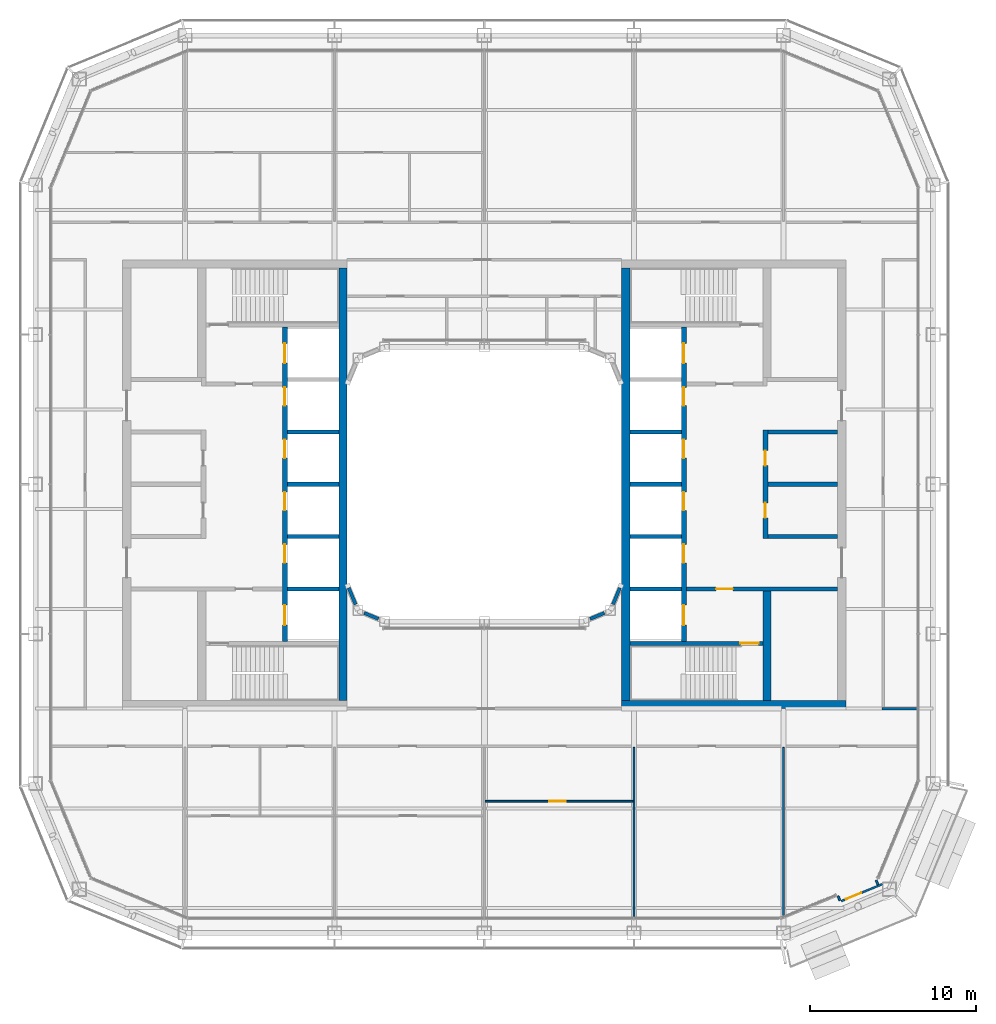
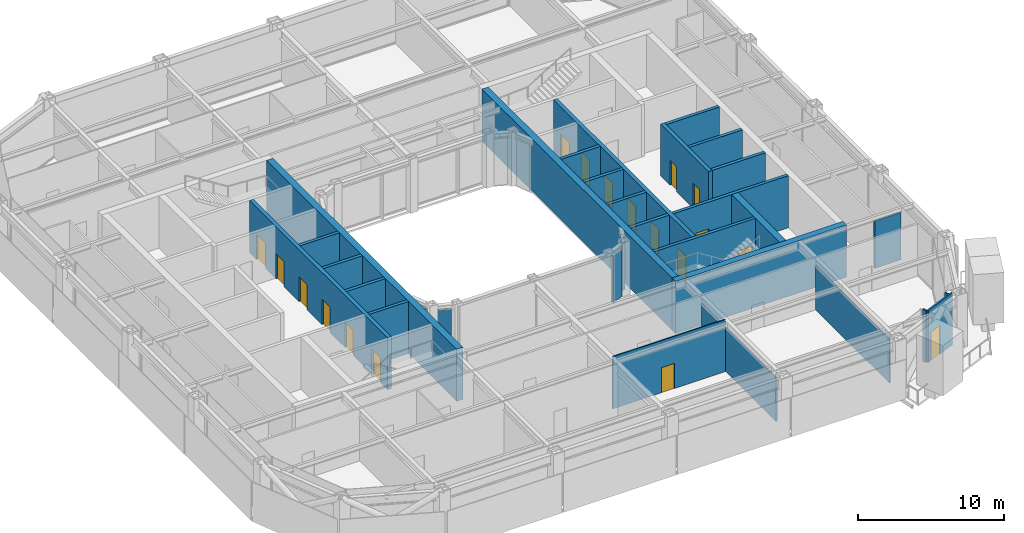
# One storey, part 13 of 22: 31 walls, 18 doors, 18 openings.
"""IFC4 building model written with IfcOpenShell, lengths in metres."""

from ifc_helpers import new_model, si_unit, direction, frame, frame_2d, origin, place, context, subcontext, project, spatial, rectangle, extrude, material, layer, layer_set, type_object, element, fill, save


model = new_model("IFC4")

# Units and contexts
model_context = context("Model", 3, precision=1e-05, world=origin(), true_north=direction((0.0, 1.0)))
body_context = subcontext(model_context, "Body", "Model", "MODEL_VIEW")
ifc_project = project(units=[si_unit("LENGTHUNIT", "METRE"), si_unit("AREAUNIT", "SQUARE_METRE"), si_unit("VOLUMEUNIT", "CUBIC_METRE"), si_unit("PLANEANGLEUNIT", "RADIAN"), si_unit("MASSUNIT", "GRAM", prefix="KILO")], contexts=[model_context])

# Site, building, storey
site_placement = place(None, origin())
site = spatial("IfcSite", under=ifc_project, at=site_placement, CompositionType="ELEMENT")
building_placement = place(site_placement, origin())
building = spatial("IfcBuilding", under=site, at=building_placement, Name="Siwar Civic Tower", CompositionType="ELEMENT")
storey_placement = place(building_placement, frame((0.0, 0.0, 219.699951171875)))
storey = spatial("IfcBuildingStorey", under=building, at=storey_placement, Name="L47", CompositionType="ELEMENT", Elevation=219.699951171875)

# Walls
ifc_material_1 = material(Name="Concrete C60/75", Category="concrete")
ifc_layer_1 = layer(ifc_material_1, 0.25)
ifc_layer_set_1 = layer_set([ifc_layer_1], Name="Concrete C60/75")
wall_type_1 = type_object("IfcWallType", Name="CORE-WALL-RC250", PredefinedType="SHEAR", material=ifc_layer_set_1)
for number, where, z_axis, x_axis, name in (
    (1, (-8.75, 0.0, 0.0), (0.0, 0.0, 1.0), (-1.0, 0.0, 0.0), "Core wall W"),
    (2, (-8.75, 3.14990234375, 0.0), (0.0, 0.0, 1.0), (-1.0, 0.0, 0.0), "Core wall W"),
    (3, (-8.75, -3.14990234375, 0.0), (0.0, 0.0, 1.0), (-1.0, 0.0, 0.0), "Core wall W"),
    (4, (-8.75, -6.300048828125, 0.0), (0.0, 0.0, 1.0), (-1.0, 0.0, 0.0), "Core wall W"),
):
    element("IfcWall", number, at=place(storey_placement, frame(where, z_axis=z_axis, x_axis=x_axis)), inside=storey, type_object=wall_type_1, Name=name, PredefinedType="SHEAR", context=body_context, shape_type="SweptSolid", body=[
        extrude(rectangle(XDim=3.10009765625, YDim=0.25, at=frame_2d((1.550048828125, 0.0))), origin(), (0.0, 0.0, 1.0), 4.35009765625),
    ])

# Wall, opening, door
wall_1_placement = place(storey_placement, frame((12.14990234375, -6.300048828125, 0.0), z_axis=(0.0, 0.0, 1.0), x_axis=(1.0, 0.0, 0.0)))
wall_1 = element("IfcWall", 5, at=wall_1_placement, inside=storey, type_object=wall_type_1, Name="Core wall E", PredefinedType="SHEAR", context=body_context, shape_type="SweptSolid", body=[
    extrude(rectangle(XDim=9.10009765625, YDim=0.25, at=frame_2d((4.550048828125, 0.0))), origin(), (0.0, 0.0, 1.0), 4.35009765625),
])
opening_1_placement = place(wall_1_placement, frame((1.800048828125, 0.0, 0.0)))
opening_1 = element("IfcOpeningElement", 6, at=opening_1_placement, cuts=wall_1, Name="Opening L47-CE02", PredefinedType="OPENING", context=body_context, shape_type="SweptSolid", body=[
    extrude(rectangle(XDim=1.0, YDim=2.10009765625, at=frame_2d((0.5, 1.050048828125))), frame((0.0, 0.135009765625, 0.0), z_axis=(0.0, -1.0, 0.0), x_axis=(1.0, 0.0, 0.0)), (0.0, 0.0, 1.0), 0.27001953125),
])
ifc_material_2 = material(Name="Steel door leaf", Category="steel")
door_type_1 = type_object("IfcDoorType", Name="CORE-DOOR-FD30S", OperationType="SINGLE_SWING_LEFT", PredefinedType="DOOR", material=ifc_material_2)
door_1_placement = place(opening_1_placement, origin())
door_1 = element("IfcDoor", 7, at=door_1_placement, inside=storey, type_object=door_type_1, Name="Service lobby door L47-CE02", OperationType="SINGLE_SWING_LEFT", OverallHeight=2.10009765625, OverallWidth=1.0, PredefinedType="DOOR", context=body_context, shape_type="SweptSolid", body=[
    extrude(rectangle(XDim=1.0, YDim=2.10009765625, at=frame_2d((0.5, 1.050048828125))), frame((0.0, 0.02490234375, 0.0), z_axis=(0.0, -1.0, 0.0), x_axis=(1.0, 0.0, 0.0)), (0.0, 0.0, 1.0), 0.050048828125),
])
fill(opening_1, door_1)

# Walls
for number, where, z_axis, x_axis, name in (
    (8, (17.050048828125, 0.0, 0.0), (0.0, 0.0, 1.0), (1.0, 0.0, 0.0), "Core wall E"),
    (9, (17.050048828125, 3.14990234375, 0.0), (0.0, 0.0, 1.0), (1.0, 0.0, 0.0), "Core wall E"),
    (10, (17.050048828125, -3.14990234375, 0.0), (0.0, 0.0, 1.0), (1.0, 0.0, 0.0), "Core wall E"),
):
    element("IfcWall", number, at=place(storey_placement, frame(where, z_axis=z_axis, x_axis=x_axis)), inside=storey, type_object=wall_type_1, Name=name, PredefinedType="SHEAR", context=body_context, shape_type="SweptSolid", body=[
        extrude(rectangle(XDim=4.199951171875, YDim=0.25, at=frame_2d((2.10009765625, 0.0))), origin(), (0.0, 0.0, 1.0), 4.35009765625),
    ])
for number, where, z_axis, x_axis, name in (
    (11, (8.75, 0.0, 0.0), (0.0, 0.0, 1.0), (1.0, 0.0, 0.0), "Core wall E"),
    (12, (8.75, 3.14990234375, 0.0), (0.0, 0.0, 1.0), (1.0, 0.0, 0.0), "Core wall E"),
    (13, (8.75, -3.14990234375, 0.0), (0.0, 0.0, 1.0), (1.0, 0.0, 0.0), "Core wall E"),
    (14, (8.75, -6.300048828125, 0.0), (0.0, 0.0, 1.0), (1.0, 0.0, 0.0), "Core wall E"),
):
    element("IfcWall", number, at=place(storey_placement, frame(where, z_axis=z_axis, x_axis=x_axis)), inside=storey, type_object=wall_type_1, Name=name, PredefinedType="SHEAR", context=body_context, shape_type="SweptSolid", body=[
        extrude(rectangle(XDim=3.10009765625, YDim=0.25, at=frame_2d((1.550048828125, 0.0))), origin(), (0.0, 0.0, 1.0), 4.35009765625),
    ])

# Wall, opening, door
wall_2_placement = place(storey_placement, frame((8.75, -9.574951171875, 0.0), z_axis=(0.0, 0.0, 1.0), x_axis=(1.0, 0.0, 0.0)))
wall_2 = element("IfcWall", 15, at=wall_2_placement, inside=storey, type_object=wall_type_1, Name="Core wall E", PredefinedType="SHEAR", context=body_context, shape_type="SweptSolid", body=[
    extrude(rectangle(XDim=8.0, YDim=0.25, at=frame_2d((4.0, 0.0))), origin(), (0.0, 0.0, 1.0), 4.35009765625),
])
opening_2_placement = place(wall_2_placement, frame((6.64990234375, 0.0, 0.0)))
opening_2 = element("IfcOpeningElement", 16, at=opening_2_placement, cuts=wall_2, Name="Opening L47-CE04", PredefinedType="OPENING", context=body_context, shape_type="SweptSolid", body=[
    extrude(rectangle(XDim=1.10009765625, YDim=2.10009765625, at=frame_2d((0.550048828125, 1.050048828125))), frame((0.0, 0.135009765625, 0.0), z_axis=(0.0, -1.0, 0.0), x_axis=(1.0, 0.0, 0.0)), (0.0, 0.0, 1.0), 0.27001953125),
])
ifc_material_3 = material(Name="Steel door leaf", Category="steel")
door_type_2 = type_object("IfcDoorType", Name="CORE-DOOR-FD60S", OperationType="SINGLE_SWING_LEFT", PredefinedType="DOOR", material=ifc_material_3)
door_2_placement = place(opening_2_placement, origin())
door_2 = element("IfcDoor", 17, at=door_2_placement, inside=storey, type_object=door_type_2, Name="Stair door L47-CE04", OperationType="SINGLE_SWING_RIGHT", OverallHeight=2.10009765625, OverallWidth=1.10009765625, PredefinedType="DOOR", context=body_context, shape_type="SweptSolid", body=[
    extrude(rectangle(XDim=1.10009765625, YDim=2.10009765625, at=frame_2d((0.550048828125, 1.050048828125))), frame((0.0, 0.02490234375, 0.0), z_axis=(0.0, -1.0, 0.0), x_axis=(1.0, 0.0, 0.0)), (0.0, 0.0, 1.0), 0.050048828125),
])
fill(opening_2, door_2)

# Wall, openings, doors
ifc_material_4 = material(Name="Concrete C60/75", Category="concrete")
ifc_layer_2 = layer(ifc_material_4, 0.300048828125)
ifc_layer_set_2 = layer_set([ifc_layer_2], Name="Concrete C60/75")
wall_type_2 = type_object("IfcWallType", Name="CORE-WALL-RC300", PredefinedType="SHEAR", material=ifc_layer_set_2)
wall_3_placement = place(storey_placement, frame((-12.0, -9.449951171875, 0.0), z_axis=(0.0, 0.0, 1.0), x_axis=(0.0, 1.0, 0.0)))
wall_3 = element("IfcWall", 18, at=wall_3_placement, inside=storey, type_object=wall_type_2, Name="Core wall W", PredefinedType="SHEAR", context=body_context, shape_type="SweptSolid", body=[
    extrude(rectangle(XDim=18.89990234375, YDim=0.300048828125, at=frame_2d((9.449951171875, 0.0))), origin(), (0.0, 0.0, 1.0), 4.35009765625),
])
opening_3_placement = place(wall_3_placement, frame((4.72509765625, 0.0, 0.0)))
opening_3 = element("IfcOpeningElement", 19, at=opening_3_placement, cuts=wall_3, Name="Opening L47-CW07", PredefinedType="OPENING", context=body_context, shape_type="SweptSolid", body=[
    extrude(rectangle(XDim=1.10009765625, YDim=2.10009765625, at=frame_2d((0.550048828125, 1.050048828125))), frame((0.0, 0.16015625, 0.0), z_axis=(0.0, -1.0, 0.0), x_axis=(1.0, 0.0, 0.0)), (0.0, 0.0, 1.0), 0.320068359375),
])
opening_4_placement = place(wall_3_placement, frame((7.875, 0.0, 0.0)))
opening_4 = element("IfcOpeningElement", 20, at=opening_4_placement, cuts=wall_3, Name="Opening L47-CW08", PredefinedType="OPENING", context=body_context, shape_type="SweptSolid", body=[
    extrude(rectangle(XDim=1.10009765625, YDim=2.10009765625, at=frame_2d((0.550048828125, 1.050048828125))), frame((0.0, 0.16015625, 0.0), z_axis=(0.0, -1.0, 0.0), x_axis=(1.0, 0.0, 0.0)), (0.0, 0.0, 1.0), 0.320068359375),
])
opening_5_placement = place(wall_3_placement, frame((11.02490234375, 0.0, 0.0)))
opening_5 = element("IfcOpeningElement", 21, at=opening_5_placement, cuts=wall_3, Name="Opening L47-CW09", PredefinedType="OPENING", context=body_context, shape_type="SweptSolid", body=[
    extrude(rectangle(XDim=1.10009765625, YDim=2.10009765625, at=frame_2d((0.550048828125, 1.050048828125))), frame((0.0, 0.16015625, 0.0), z_axis=(0.0, -1.0, 0.0), x_axis=(1.0, 0.0, 0.0)), (0.0, 0.0, 1.0), 0.320068359375),
])
opening_6_placement = place(wall_3_placement, frame((14.175048828125, 0.0, 0.0)))
opening_6 = element("IfcOpeningElement", 22, at=opening_6_placement, cuts=wall_3, Name="Opening L47-CW10", PredefinedType="OPENING", context=body_context, shape_type="SweptSolid", body=[
    extrude(rectangle(XDim=1.10009765625, YDim=2.10009765625, at=frame_2d((0.550048828125, 1.050048828125))), frame((0.0, 0.16015625, 0.0), z_axis=(0.0, -1.0, 0.0), x_axis=(1.0, 0.0, 0.0)), (0.0, 0.0, 1.0), 0.320068359375),
])
opening_7_placement = place(wall_3_placement, frame((16.72509765625, 0.0, 0.0)))
opening_7 = element("IfcOpeningElement", 23, at=opening_7_placement, cuts=wall_3, Name="Opening L47-CW11", PredefinedType="OPENING", context=body_context, shape_type="SweptSolid", body=[
    extrude(rectangle(XDim=1.199951171875, YDim=2.10009765625, at=frame_2d((0.60009765625, 1.050048828125))), frame((0.0, 0.16015625, 0.0), z_axis=(0.0, -1.0, 0.0), x_axis=(1.0, 0.0, 0.0)), (0.0, 0.0, 1.0), 0.320068359375),
])
opening_8_placement = place(wall_3_placement, frame((0.97509765625, 0.0, 0.0)))
opening_8 = element("IfcOpeningElement", 24, at=opening_8_placement, cuts=wall_3, Name="Opening L47-CW12", PredefinedType="OPENING", context=body_context, shape_type="SweptSolid", body=[
    extrude(rectangle(XDim=1.199951171875, YDim=2.10009765625, at=frame_2d((0.60009765625, 1.050048828125))), frame((0.0, 0.16015625, 0.0), z_axis=(0.0, -1.0, 0.0), x_axis=(1.0, 0.0, 0.0)), (0.0, 0.0, 1.0), 0.320068359375),
])
ifc_material_5 = material(Name="Steel door leaf", Category="steel")
door_type_3 = type_object("IfcDoorType", Name="CORE-DOOR-LD", OperationType="DOUBLE_DOOR_SLIDING", PredefinedType="DOOR", material=ifc_material_5)
door_3_placement = place(opening_3_placement, origin())
door_3 = element("IfcDoor", 25, at=door_3_placement, inside=storey, type_object=door_type_3, Name="Landing door HR1 L47-CW07", OperationType="DOUBLE_DOOR_SLIDING", OverallHeight=2.10009765625, OverallWidth=1.10009765625, PredefinedType="DOOR", context=body_context, shape_type="SweptSolid", body=[
    extrude(rectangle(XDim=1.10009765625, YDim=2.10009765625, at=frame_2d((0.550048828125, 1.050048828125))), frame((0.0, 0.02490234375, 0.0), z_axis=(0.0, -1.0, 0.0), x_axis=(1.0, 0.0, 0.0)), (0.0, 0.0, 1.0), 0.050048828125),
])
fill(opening_3, door_3)
door_4_placement = place(opening_4_placement, origin())
door_4 = element("IfcDoor", 26, at=door_4_placement, inside=storey, type_object=door_type_3, Name="Landing door HR2 L47-CW08", OperationType="DOUBLE_DOOR_SLIDING", OverallHeight=2.10009765625, OverallWidth=1.10009765625, PredefinedType="DOOR", context=body_context, shape_type="SweptSolid", body=[
    extrude(rectangle(XDim=1.10009765625, YDim=2.10009765625, at=frame_2d((0.550048828125, 1.050048828125))), frame((0.0, 0.02490234375, 0.0), z_axis=(0.0, -1.0, 0.0), x_axis=(1.0, 0.0, 0.0)), (0.0, 0.0, 1.0), 0.050048828125),
])
fill(opening_4, door_4)
door_5_placement = place(opening_5_placement, origin())
door_5 = element("IfcDoor", 27, at=door_5_placement, inside=storey, type_object=door_type_3, Name="Landing door HR3 L47-CW09", OperationType="DOUBLE_DOOR_SLIDING", OverallHeight=2.10009765625, OverallWidth=1.10009765625, PredefinedType="DOOR", context=body_context, shape_type="SweptSolid", body=[
    extrude(rectangle(XDim=1.10009765625, YDim=2.10009765625, at=frame_2d((0.550048828125, 1.050048828125))), frame((0.0, 0.02490234375, 0.0), z_axis=(0.0, -1.0, 0.0), x_axis=(1.0, 0.0, 0.0)), (0.0, 0.0, 1.0), 0.050048828125),
])
fill(opening_5, door_5)
door_6_placement = place(opening_6_placement, origin())
door_6 = element("IfcDoor", 28, at=door_6_placement, inside=storey, type_object=door_type_3, Name="Landing door HR4 L47-CW10", OperationType="DOUBLE_DOOR_SLIDING", OverallHeight=2.10009765625, OverallWidth=1.10009765625, PredefinedType="DOOR", context=body_context, shape_type="SweptSolid", body=[
    extrude(rectangle(XDim=1.10009765625, YDim=2.10009765625, at=frame_2d((0.550048828125, 1.050048828125))), frame((0.0, 0.02490234375, 0.0), z_axis=(0.0, -1.0, 0.0), x_axis=(1.0, 0.0, 0.0)), (0.0, 0.0, 1.0), 0.050048828125),
])
fill(opening_6, door_6)
ifc_material_6 = material(Name="Steel door leaf", Category="steel")
door_type_4 = type_object("IfcDoorType", Name="CORE-DOOR-LDW", OperationType="DOUBLE_DOOR_SLIDING", PredefinedType="DOOR", material=ifc_material_6)
door_7_placement = place(opening_7_placement, origin())
door_7 = element("IfcDoor", 29, at=door_7_placement, inside=storey, type_object=door_type_4, Name="Landing door FF1 L47-CW11", OperationType="DOUBLE_DOOR_SLIDING", OverallHeight=2.10009765625, OverallWidth=1.199951171875, PredefinedType="DOOR", context=body_context, shape_type="SweptSolid", body=[
    extrude(rectangle(XDim=1.199951171875, YDim=2.10009765625, at=frame_2d((0.60009765625, 1.050048828125))), frame((0.0, 0.02490234375, 0.0), z_axis=(0.0, -1.0, 0.0), x_axis=(1.0, 0.0, 0.0)), (0.0, 0.0, 1.0), 0.050048828125),
])
fill(opening_7, door_7)
door_8_placement = place(opening_8_placement, origin())
door_8 = element("IfcDoor", 30, at=door_8_placement, inside=storey, type_object=door_type_4, Name="Landing door SV1 L47-CW12", OperationType="DOUBLE_DOOR_SLIDING", OverallHeight=2.10009765625, OverallWidth=1.199951171875, PredefinedType="DOOR", context=body_context, shape_type="SweptSolid", body=[
    extrude(rectangle(XDim=1.199951171875, YDim=2.10009765625, at=frame_2d((0.60009765625, 1.050048828125))), frame((0.0, 0.02490234375, 0.0), z_axis=(0.0, -1.0, 0.0), x_axis=(1.0, 0.0, 0.0)), (0.0, 0.0, 1.0), 0.050048828125),
])
fill(opening_8, door_8)

wall_4_placement = place(storey_placement, frame((12.0, -9.449951171875, 0.0), z_axis=(0.0, 0.0, 1.0), x_axis=(0.0, 1.0, 0.0)))
wall_4 = element("IfcWall", 31, at=wall_4_placement, inside=storey, type_object=wall_type_2, Name="Core wall E", PredefinedType="SHEAR", context=body_context, shape_type="SweptSolid", body=[
    extrude(rectangle(XDim=18.89990234375, YDim=0.300048828125, at=frame_2d((9.449951171875, 0.0))), origin(), (0.0, 0.0, 1.0), 4.35009765625),
])
opening_9_placement = place(wall_4_placement, frame((4.72509765625, 0.0, 0.0)))
opening_9 = element("IfcOpeningElement", 32, at=opening_9_placement, cuts=wall_4, Name="Opening L47-CE07", PredefinedType="OPENING", context=body_context, shape_type="SweptSolid", body=[
    extrude(rectangle(XDim=1.10009765625, YDim=2.10009765625, at=frame_2d((0.550048828125, 1.050048828125))), frame((0.0, 0.16015625, 0.0), z_axis=(0.0, -1.0, 0.0), x_axis=(1.0, 0.0, 0.0)), (0.0, 0.0, 1.0), 0.320068359375),
])
opening_10_placement = place(wall_4_placement, frame((7.875, 0.0, 0.0)))
opening_10 = element("IfcOpeningElement", 33, at=opening_10_placement, cuts=wall_4, Name="Opening L47-CE08", PredefinedType="OPENING", context=body_context, shape_type="SweptSolid", body=[
    extrude(rectangle(XDim=1.10009765625, YDim=2.10009765625, at=frame_2d((0.550048828125, 1.050048828125))), frame((0.0, 0.16015625, 0.0), z_axis=(0.0, -1.0, 0.0), x_axis=(1.0, 0.0, 0.0)), (0.0, 0.0, 1.0), 0.320068359375),
])
opening_11_placement = place(wall_4_placement, frame((11.02490234375, 0.0, 0.0)))
opening_11 = element("IfcOpeningElement", 34, at=opening_11_placement, cuts=wall_4, Name="Opening L47-CE09", PredefinedType="OPENING", context=body_context, shape_type="SweptSolid", body=[
    extrude(rectangle(XDim=1.10009765625, YDim=2.10009765625, at=frame_2d((0.550048828125, 1.050048828125))), frame((0.0, 0.16015625, 0.0), z_axis=(0.0, -1.0, 0.0), x_axis=(1.0, 0.0, 0.0)), (0.0, 0.0, 1.0), 0.320068359375),
])
opening_12_placement = place(wall_4_placement, frame((14.175048828125, 0.0, 0.0)))
opening_12 = element("IfcOpeningElement", 35, at=opening_12_placement, cuts=wall_4, Name="Opening L47-CE10", PredefinedType="OPENING", context=body_context, shape_type="SweptSolid", body=[
    extrude(rectangle(XDim=1.10009765625, YDim=2.10009765625, at=frame_2d((0.550048828125, 1.050048828125))), frame((0.0, 0.16015625, 0.0), z_axis=(0.0, -1.0, 0.0), x_axis=(1.0, 0.0, 0.0)), (0.0, 0.0, 1.0), 0.320068359375),
])
opening_13_placement = place(wall_4_placement, frame((16.72509765625, 0.0, 0.0)))
opening_13 = element("IfcOpeningElement", 36, at=opening_13_placement, cuts=wall_4, Name="Opening L47-CE11", PredefinedType="OPENING", context=body_context, shape_type="SweptSolid", body=[
    extrude(rectangle(XDim=1.199951171875, YDim=2.10009765625, at=frame_2d((0.60009765625, 1.050048828125))), frame((0.0, 0.16015625, 0.0), z_axis=(0.0, -1.0, 0.0), x_axis=(1.0, 0.0, 0.0)), (0.0, 0.0, 1.0), 0.320068359375),
])
opening_14_placement = place(wall_4_placement, frame((0.97509765625, 0.0, 0.0)))
opening_14 = element("IfcOpeningElement", 37, at=opening_14_placement, cuts=wall_4, Name="Opening L47-CE12", PredefinedType="OPENING", context=body_context, shape_type="SweptSolid", body=[
    extrude(rectangle(XDim=1.199951171875, YDim=2.10009765625, at=frame_2d((0.60009765625, 1.050048828125))), frame((0.0, 0.16015625, 0.0), z_axis=(0.0, -1.0, 0.0), x_axis=(1.0, 0.0, 0.0)), (0.0, 0.0, 1.0), 0.320068359375),
])
door_9_placement = place(opening_9_placement, origin())
door_9 = element("IfcDoor", 38, at=door_9_placement, inside=storey, type_object=door_type_3, Name="Landing door HR5 L47-CE07", OperationType="DOUBLE_DOOR_SLIDING", OverallHeight=2.10009765625, OverallWidth=1.10009765625, PredefinedType="DOOR", context=body_context, shape_type="SweptSolid", body=[
    extrude(rectangle(XDim=1.10009765625, YDim=2.10009765625, at=frame_2d((0.550048828125, 1.050048828125))), frame((0.0, 0.02490234375, 0.0), z_axis=(0.0, -1.0, 0.0), x_axis=(1.0, 0.0, 0.0)), (0.0, 0.0, 1.0), 0.050048828125),
])
fill(opening_9, door_9)
door_10_placement = place(opening_10_placement, origin())
door_10 = element("IfcDoor", 39, at=door_10_placement, inside=storey, type_object=door_type_3, Name="Landing door HR6 L47-CE08", OperationType="DOUBLE_DOOR_SLIDING", OverallHeight=2.10009765625, OverallWidth=1.10009765625, PredefinedType="DOOR", context=body_context, shape_type="SweptSolid", body=[
    extrude(rectangle(XDim=1.10009765625, YDim=2.10009765625, at=frame_2d((0.550048828125, 1.050048828125))), frame((0.0, 0.02490234375, 0.0), z_axis=(0.0, -1.0, 0.0), x_axis=(1.0, 0.0, 0.0)), (0.0, 0.0, 1.0), 0.050048828125),
])
fill(opening_10, door_10)
door_11_placement = place(opening_11_placement, origin())
door_11 = element("IfcDoor", 40, at=door_11_placement, inside=storey, type_object=door_type_3, Name="Landing door HR7 L47-CE09", OperationType="DOUBLE_DOOR_SLIDING", OverallHeight=2.10009765625, OverallWidth=1.10009765625, PredefinedType="DOOR", context=body_context, shape_type="SweptSolid", body=[
    extrude(rectangle(XDim=1.10009765625, YDim=2.10009765625, at=frame_2d((0.550048828125, 1.050048828125))), frame((0.0, 0.02490234375, 0.0), z_axis=(0.0, -1.0, 0.0), x_axis=(1.0, 0.0, 0.0)), (0.0, 0.0, 1.0), 0.050048828125),
])
fill(opening_11, door_11)
door_12_placement = place(opening_12_placement, origin())
door_12 = element("IfcDoor", 41, at=door_12_placement, inside=storey, type_object=door_type_3, Name="Landing door HR8 L47-CE10", OperationType="DOUBLE_DOOR_SLIDING", OverallHeight=2.10009765625, OverallWidth=1.10009765625, PredefinedType="DOOR", context=body_context, shape_type="SweptSolid", body=[
    extrude(rectangle(XDim=1.10009765625, YDim=2.10009765625, at=frame_2d((0.550048828125, 1.050048828125))), frame((0.0, 0.02490234375, 0.0), z_axis=(0.0, -1.0, 0.0), x_axis=(1.0, 0.0, 0.0)), (0.0, 0.0, 1.0), 0.050048828125),
])
fill(opening_12, door_12)
door_13_placement = place(opening_13_placement, origin())
door_13 = element("IfcDoor", 42, at=door_13_placement, inside=storey, type_object=door_type_4, Name="Landing door FF2 L47-CE11", OperationType="DOUBLE_DOOR_SLIDING", OverallHeight=2.10009765625, OverallWidth=1.199951171875, PredefinedType="DOOR", context=body_context, shape_type="SweptSolid", body=[
    extrude(rectangle(XDim=1.199951171875, YDim=2.10009765625, at=frame_2d((0.60009765625, 1.050048828125))), frame((0.0, 0.02490234375, 0.0), z_axis=(0.0, -1.0, 0.0), x_axis=(1.0, 0.0, 0.0)), (0.0, 0.0, 1.0), 0.050048828125),
])
fill(opening_13, door_13)
door_14_placement = place(opening_14_placement, origin())
door_14 = element("IfcDoor", 43, at=door_14_placement, inside=storey, type_object=door_type_4, Name="Landing door SV2 L47-CE12", OperationType="DOUBLE_DOOR_SLIDING", OverallHeight=2.10009765625, OverallWidth=1.199951171875, PredefinedType="DOOR", context=body_context, shape_type="SweptSolid", body=[
    extrude(rectangle(XDim=1.199951171875, YDim=2.10009765625, at=frame_2d((0.60009765625, 1.050048828125))), frame((0.0, 0.02490234375, 0.0), z_axis=(0.0, -1.0, 0.0), x_axis=(1.0, 0.0, 0.0)), (0.0, 0.0, 1.0), 0.050048828125),
])
fill(opening_14, door_14)

wall_5_placement = place(storey_placement, frame((16.89990234375, -3.27490234375, 0.0), z_axis=(0.0, 0.0, 1.0), x_axis=(0.0, 1.0, 0.0)))
wall_5 = element("IfcWall", 44, at=wall_5_placement, inside=storey, type_object=wall_type_2, Name="Core wall E", PredefinedType="SHEAR", context=body_context, shape_type="SweptSolid", body=[
    extrude(rectangle(XDim=6.5498046875, YDim=0.300048828125, at=frame_2d((3.27490234375, 0.0))), origin(), (0.0, 0.0, 1.0), 4.35009765625),
])
opening_15_placement = place(wall_5_placement, frame((1.25, 0.0, 0.0)))
opening_15 = element("IfcOpeningElement", 45, at=opening_15_placement, cuts=wall_5, Name="Opening L47-CE13", PredefinedType="OPENING", context=body_context, shape_type="SweptSolid", body=[
    extrude(rectangle(XDim=0.89990234375, YDim=2.10009765625, at=frame_2d((0.449951171875, 1.050048828125))), frame((0.0, 0.16015625, 0.0), z_axis=(0.0, -1.0, 0.0), x_axis=(1.0, 0.0, 0.0)), (0.0, 0.0, 1.0), 0.320068359375),
])
opening_16_placement = place(wall_5_placement, frame((4.39990234375, 0.0, 0.0)))
opening_16 = element("IfcOpeningElement", 46, at=opening_16_placement, cuts=wall_5, Name="Opening L47-CE14", PredefinedType="OPENING", context=body_context, shape_type="SweptSolid", body=[
    extrude(rectangle(XDim=0.89990234375, YDim=2.10009765625, at=frame_2d((0.449951171875, 1.050048828125))), frame((0.0, 0.16015625, 0.0), z_axis=(0.0, -1.0, 0.0), x_axis=(1.0, 0.0, 0.0)), (0.0, 0.0, 1.0), 0.320068359375),
])
ifc_material_7 = material(Name="Steel door leaf", Category="steel")
door_type_5 = type_object("IfcDoorType", Name="CORE-DOOR-ROOM", OperationType="SINGLE_SWING_LEFT", PredefinedType="DOOR", material=ifc_material_7)
door_15_placement = place(opening_15_placement, origin())
door_15 = element("IfcDoor", 47, at=door_15_placement, inside=storey, type_object=door_type_5, Name="Core room door L47-CE13", OperationType="SINGLE_SWING_RIGHT", OverallHeight=2.10009765625, OverallWidth=0.89990234375, PredefinedType="DOOR", context=body_context, shape_type="SweptSolid", body=[
    extrude(rectangle(XDim=0.89990234375, YDim=2.10009765625, at=frame_2d((0.449951171875, 1.050048828125))), frame((0.0, 0.02490234375, 0.0), z_axis=(0.0, -1.0, 0.0), x_axis=(1.0, 0.0, 0.0)), (0.0, 0.0, 1.0), 0.050048828125),
])
fill(opening_15, door_15)
door_16_placement = place(opening_16_placement, origin())
door_16 = element("IfcDoor", 48, at=door_16_placement, inside=storey, type_object=door_type_5, Name="Core room door L47-CE14", OperationType="SINGLE_SWING_LEFT", OverallHeight=2.10009765625, OverallWidth=0.89990234375, PredefinedType="DOOR", context=body_context, shape_type="SweptSolid", body=[
    extrude(rectangle(XDim=0.89990234375, YDim=2.10009765625, at=frame_2d((0.449951171875, 1.050048828125))), frame((0.0, 0.02490234375, 0.0), z_axis=(0.0, -1.0, 0.0), x_axis=(1.0, 0.0, 0.0)), (0.0, 0.0, 1.0), 0.050048828125),
])
fill(opening_16, door_16)

# Walls
ifc_material_8 = material(Name="Concrete C60/75", Category="concrete")
ifc_layer_3 = layer(ifc_material_8, 0.5)
ifc_layer_set_3 = layer_set([ifc_layer_3], Name="Concrete C60/75")
wall_type_3 = type_object("IfcWallType", Name="CORE-WALL-RC500", PredefinedType="SHEAR", material=ifc_layer_set_3)
wall_6_placement = place(storey_placement, frame((17.0, -13.0, 0.0), z_axis=(0.0, 0.0, 1.0), x_axis=(0.0, 1.0, 0.0)))
element("IfcWall", 49, at=wall_6_placement, inside=storey, type_object=wall_type_3, Name="Core wall E", PredefinedType="SHEAR", context=body_context, shape_type="SweptSolid", body=[
    extrude(rectangle(XDim=6.574951171875, YDim=0.5, at=frame_2d((3.28759765625, 0.0))), origin(), (0.0, 0.0, 1.0), 4.35009765625),
])
wall_7_placement = place(storey_placement, frame((8.25, -13.25, 0.0), z_axis=(0.0, 0.0, 1.0), x_axis=(1.0, 0.0, 0.0)))
element("IfcWall", 50, at=wall_7_placement, inside=storey, type_object=wall_type_3, Name="Core wall E", PredefinedType="SHEAR", context=body_context, shape_type="SweptSolid", body=[
    extrude(rectangle(XDim=13.5, YDim=0.5, at=frame_2d((6.75, 0.0))), origin(), (0.0, 0.0, 1.0), 4.35009765625),
])
ifc_material_9 = material(Name="Concrete C60/75", Category="concrete")
ifc_layer_4 = layer(ifc_material_9, 0.5)
ifc_layer_set_4 = layer_set([ifc_layer_4], Name="Concrete C60/75")
wall_type_4 = type_object("IfcWallType", Name="CORE-WALL-RC500-EXT", PredefinedType="SHEAR", material=ifc_layer_set_4)
for number, where, z_axis, x_axis, name in (
    (51, (-8.5, -13.0, 0.0), (0.0, 0.0, 1.0), (0.0, 1.0, 0.0), "Core wall W"),
    (52, (8.5, -13.0, 0.0), (0.0, 0.0, 1.0), (0.0, 1.0, 0.0), "Core wall E"),
):
    element("IfcWall", number, at=place(storey_placement, frame(where, z_axis=z_axis, x_axis=x_axis)), inside=storey, type_object=wall_type_4, Name=name, PredefinedType="SHEAR", context=body_context, shape_type="SweptSolid", body=[
        extrude(rectangle(XDim=26.0, YDim=0.5, at=frame_2d((13.0, 0.0))), origin(), (0.0, 0.0, 1.0), 4.35009765625),
    ])
ifc_material_10 = material(Name="Gypsum board on steel studs", Category="steel")
ifc_layer_5 = layer(ifc_material_10, 0.14990234375)
ifc_layer_set_5 = layer_set([ifc_layer_5], Name="Gypsum board on steel studs")
wall_type_5 = type_object("IfcWallType", Name="CORRIDOR PARTITION 150 EI 30", PredefinedType="PARTITIONING", material=ifc_layer_set_5)
wall_8_placement = place(storey_placement, frame((23.925048828125, -13.5, 0.0), z_axis=(0.0, 0.0, 1.0), x_axis=(1.0, 0.0, 0.0)))
element("IfcWall", 53, at=wall_8_placement, inside=storey, type_object=wall_type_5, Name="L47/wall/P06", PredefinedType="PARTITIONING", context=body_context, shape_type="SweptSolid", body=[
    extrude(rectangle(XDim=2.0849609375, YDim=0.14990234375, at=frame_2d((1.04248046875, 0.0))), origin(), (0.0, 0.0, 1.0), 3.949951171875),
])
ifc_material_11 = material(Name="Aluminium clad insulated panel", Category="aluminium")
ifc_layer_6 = layer(ifc_material_11, 0.1201171875)
ifc_layer_set_6 = layer_set([ifc_layer_6], Name="Aluminium clad insulated panel")
wall_type_6 = type_object("IfcWallType", Name="ENV-WALL-BAL", PredefinedType="STANDARD", material=ifc_layer_set_6)
wall_9_placement = place(storey_placement, frame((21.27587890625, -24.766357421875, 0.0), z_axis=(0.0, 0.0, 1.0), x_axis=(0.382591441855, -0.923917630863, 0.0)))
element("IfcWall", 54, at=wall_9_placement, inside=storey, type_object=wall_type_6, Name="Balcony door wall return SE1", PredefinedType="STANDARD", context=body_context, shape_type="SweptSolid", body=[
    extrude(rectangle(XDim=0.2998046875, YDim=0.1201171875, at=frame_2d((0.14990234375, 0.0))), origin(), (0.0, 0.0, 1.0), 4.35009765625),
])
wall_10_placement = place(storey_placement, frame((23.56640625, -23.817626953125, 0.0), z_axis=(0.0, 0.0, 1.0), x_axis=(0.383285987724, -0.923629715641, 0.0)))
element("IfcWall", 55, at=wall_10_placement, inside=storey, type_object=wall_type_6, Name="Balcony door wall return SE1", PredefinedType="STANDARD", context=body_context, shape_type="SweptSolid", body=[
    extrude(rectangle(XDim=0.300048828125, YDim=0.1201171875, at=frame_2d((0.14990234375, 0.0))), origin(), (0.0, 0.0, 1.0), 4.35009765625),
])

# Wall, opening, door
wall_11_placement = place(storey_placement, frame((21.468994140625, -25.075927734375, 0.0), z_axis=(0.0, 0.0, 1.0), x_axis=(0.923898858671, 0.382636771556, 0.0)))
wall_11 = element("IfcWall", 56, at=wall_11_placement, inside=storey, type_object=wall_type_6, Name="Balcony door wall SE1", PredefinedType="STANDARD", context=body_context, shape_type="SweptSolid", body=[
    extrude(rectangle(XDim=2.67333984375, YDim=0.1201171875, at=frame_2d((1.336669921875, 0.0))), origin(), (0.0, 0.0, 1.0), 4.35009765625),
])
opening_17_placement = place(wall_11_placement, frame((0.300048828125, 0.0, 0.0)))
opening_17 = element("IfcOpeningElement", 57, at=opening_17_placement, cuts=wall_11, Name="Opening D-BAL", PredefinedType="OPENING", context=body_context, shape_type="SweptSolid", body=[
    extrude(rectangle(XDim=1.0, YDim=2.39990234375, at=frame_2d((0.5, 1.199951171875))), frame((0.0, 0.070068359375, 0.0), z_axis=(0.0, -1.0, 0.0), x_axis=(1.0, 0.0, 0.0)), (0.0, 0.0, 1.0), 0.14013671875),
])
ifc_material_12 = material(Name="Aluminium and glass", Category="aluminium")
door_type_6 = type_object("IfcDoorType", Name="ENV-DOOR-BAL", OperationType="SINGLE_SWING_LEFT", PredefinedType="DOOR", material=ifc_material_12)
door_17_placement = place(opening_17_placement, origin())
door_17 = element("IfcDoor", 58, at=door_17_placement, inside=storey, type_object=door_type_6, Name="Balcony door SE", OperationType="SINGLE_SWING_LEFT", OverallHeight=2.39990234375, OverallWidth=1.0, PredefinedType="DOOR", context=body_context, shape_type="SweptSolid", body=[
    extrude(rectangle(XDim=1.0, YDim=2.39990234375, at=frame_2d((0.5, 1.199951171875))), frame((0.0, 0.02490234375, 0.0), z_axis=(0.0, -1.0, 0.0), x_axis=(1.0, 0.0, 0.0)), (0.0, 0.0, 1.0), 0.050048828125),
])
fill(opening_17, door_17)

# Walls
ifc_material_13 = material(Name="Aluminium clad insulated panel", Category="aluminium")
ifc_layer_7 = layer(ifc_material_13, 0.199951171875)
ifc_layer_set_7 = layer_set([ifc_layer_7], Name="Aluminium clad insulated panel")
wall_type_7 = type_object("IfcWallType", Name="ENV-WALL-WELL", PredefinedType="STANDARD", material=ifc_layer_set_7)
wall_12_placement = place(storey_placement, frame((6.362060546875, -8.10009765625, 0.0), z_axis=(0.0, 0.0, 1.0), x_axis=(0.923829670615, 0.382803787458, 0.0)))
element("IfcWall", 59, at=wall_12_placement, inside=storey, type_object=wall_type_7, Name="Light well corner wall SE1", PredefinedType="STANDARD", context=body_context, shape_type="SweptSolid", body=[
    extrude(rectangle(XDim=0.938232421875, YDim=0.199951171875, at=frame_2d((0.46923828125, 0.0))), origin(), (0.0, 0.0, 1.0), 3.91796875),
])
for number, where, z_axis, x_axis, name in (
    (60, (7.740966796875, -7.228759765625, 0.0), (0.0, 0.0, 1.0), (0.382704496366, 0.923870807235, 0.0), "Light well corner wall SE2"),
    (61, (-8.154296875, -6.23095703125, 0.0), (0.0, 0.0, 1.0), (0.382704496366, -0.923870807235, 0.0), "Light well corner wall SW1"),
):
    element("IfcWall", number, at=place(storey_placement, frame(where, z_axis=z_axis, x_axis=x_axis)), inside=storey, type_object=wall_type_7, Name=name, PredefinedType="STANDARD", context=body_context, shape_type="SweptSolid", body=[
        extrude(rectangle(XDim=1.080078125, YDim=0.199951171875, at=frame_2d((0.5400390625, 0.0))), origin(), (0.0, 0.0, 1.0), 3.91796875),
    ])
wall_13_placement = place(storey_placement, frame((-7.228759765625, -7.740966796875, 0.0), z_axis=(0.0, 0.0, 1.0), x_axis=(0.923829670615, -0.382803787458, 0.0)))
element("IfcWall", 62, at=wall_13_placement, inside=storey, type_object=wall_type_7, Name="Light well corner wall SW2", PredefinedType="STANDARD", context=body_context, shape_type="SweptSolid", body=[
    extrude(rectangle(XDim=0.938232421875, YDim=0.199951171875, at=frame_2d((0.46923828125, 0.0))), origin(), (0.0, 0.0, 1.0), 3.91796875),
])

# Wall, opening, door
ifc_material_14 = material(Name="Gypsum board on steel studs", Category="steel")
ifc_layer_8 = layer(ifc_material_14, 0.10009765625)
ifc_layer_set_8 = layer_set([ifc_layer_8], Name="Gypsum board on steel studs")
wall_type_8 = type_object("IfcWallType", Name="PARTITION 100 GYPSUM", PredefinedType="PARTITIONING", material=ifc_layer_set_8)
wall_14_placement = place(storey_placement, frame((0.050048828125, -19.070068359375, 0.0), z_axis=(0.0, 0.0, 1.0), x_axis=(1.0, 0.0, 0.0)))
wall_14 = element("IfcWall", 63, at=wall_14_placement, inside=storey, type_object=wall_type_8, Name="L47/wall/P02", PredefinedType="PARTITIONING", context=body_context, shape_type="SweptSolid", body=[
    extrude(rectangle(XDim=8.89990234375, YDim=0.10009765625, at=frame_2d((4.449951171875, 0.0))), origin(), (0.0, 0.0, 1.0), 4.35009765625),
])
opening_18_placement = place(wall_14_placement, frame((3.85009765625, 0.0, 0.0)))
opening_18 = element("IfcOpeningElement", 64, at=opening_18_placement, cuts=wall_14, Name="Opening D2", PredefinedType="OPENING", context=body_context, shape_type="SweptSolid", body=[
    extrude(rectangle(XDim=1.0, YDim=2.10009765625, at=frame_2d((0.5, 1.050048828125))), frame((0.0, 0.06005859375, 0.0), z_axis=(0.0, -1.0, 0.0), x_axis=(1.0, 0.0, 0.0)), (0.0, 0.0, 1.0), 0.1201171875),
])
ifc_material_15 = material(Name="Timber, painted", Category="wood")
door_type_7 = type_object("IfcDoorType", Name="DOOR 1000 X 2100", OperationType="SINGLE_SWING_LEFT", PredefinedType="DOOR", material=ifc_material_15)
door_18_placement = place(opening_18_placement, origin())
door_18 = element("IfcDoor", 65, at=door_18_placement, inside=storey, type_object=door_type_7, Name="L47-D15", OperationType="SINGLE_SWING_LEFT", OverallHeight=2.10009765625, OverallWidth=1.0, PredefinedType="DOOR", context=body_context, shape_type="SweptSolid", body=[
    extrude(rectangle(XDim=1.0, YDim=2.10009765625, at=frame_2d((0.5, 1.050048828125))), frame((0.0, 0.02490234375, 0.0), z_axis=(0.0, -1.0, 0.0), x_axis=(1.0, 0.0, 0.0)), (0.0, 0.0, 1.0), 0.050048828125),
])
fill(opening_18, door_18)

# Walls
wall_15_placement = place(storey_placement, frame((9.0, -26.010009765625, 0.0), z_axis=(0.0, 0.0, 1.0), x_axis=(0.0, 1.0, 0.0)))
element("IfcWall", 66, at=wall_15_placement, inside=storey, type_object=wall_type_8, Name="L47/wall/P30", PredefinedType="PARTITIONING", context=body_context, shape_type="SweptSolid", body=[
    extrude(rectangle(XDim=10.18505859375, YDim=0.10009765625, at=frame_2d((5.092529296875, 0.0))), origin(), (0.0, 0.0, 1.0), 3.650146484375),
])
wall_16_placement = place(storey_placement, frame((18.0, -25.927978515625, 0.0), z_axis=(0.0, 0.0, 1.0), x_axis=(0.0, 1.0, 0.0)))
element("IfcWall", 67, at=wall_16_placement, inside=storey, type_object=wall_type_8, Name="L47/wall/P32", PredefinedType="PARTITIONING", context=body_context, shape_type="SweptSolid", body=[
    extrude(rectangle(XDim=10.10302734375, YDim=0.10009765625, at=frame_2d((5.051513671875, 0.0))), origin(), (0.0, 0.0, 1.0), 3.650146484375),
])

save(model, "model.ifc")
